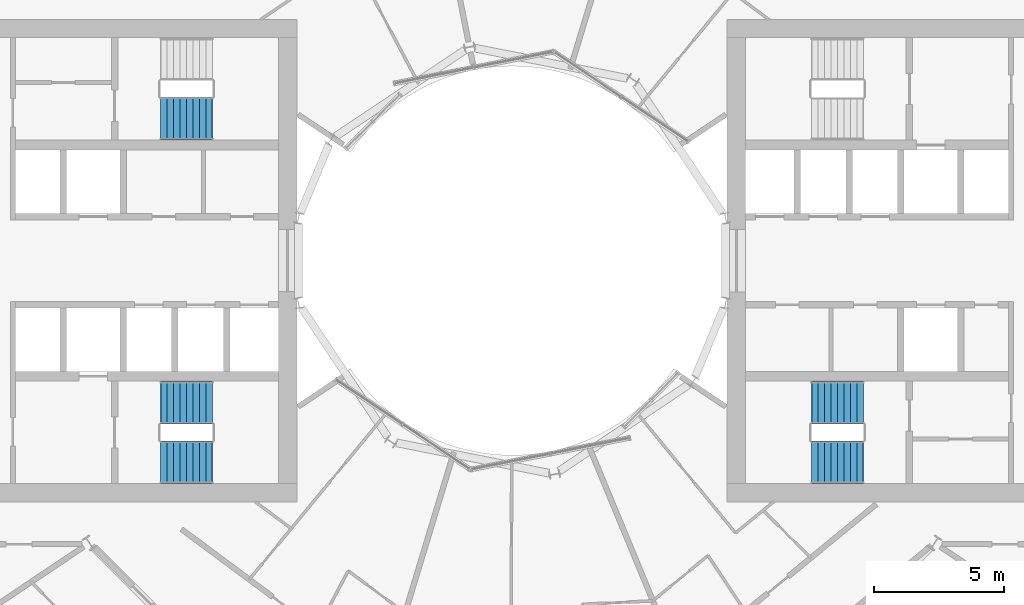
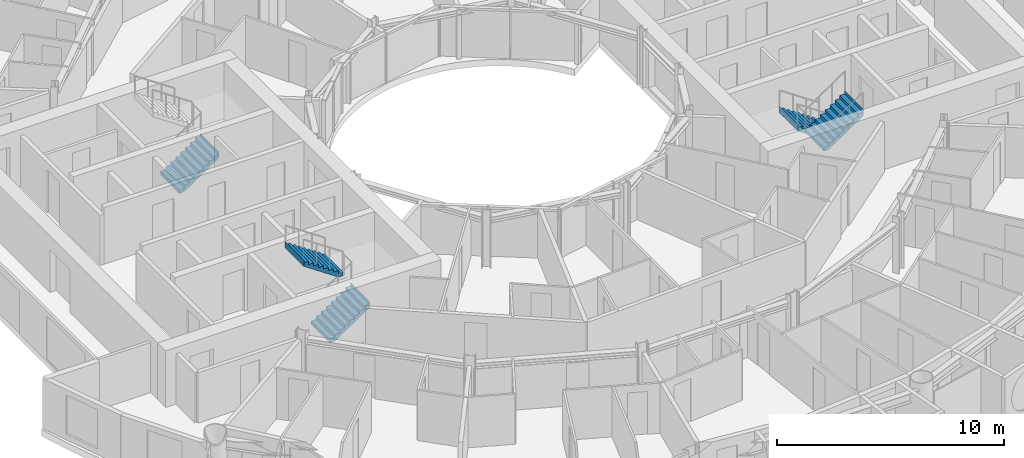
# One storey, part 24 of 26: 5 stair flights, 3 elements without a shape of their own.
"""IFC4 building model written with IfcOpenShell, lengths in metres."""

import ifcopenshell
import ifcopenshell.guid

model = None  # the IFC model being written
_history = None  # IfcOwnerHistory: only IFC2X3 demands one
_inside = {}  # id of a spatial element -> (the spatial element, [elements in it])
_under = {}  # id of a project, library or spatial element -> (it, [spatial elements below it])
_declared = {}  # id of a project -> (the project, [libraries it declares])
_typed = {}  # id of a type object -> (the type object, [elements of that type])
_made_of = {}  # id of a material, layer set ... -> (it, [elements and type objects made of it])


def new_model(schema):
    """Start an empty IFC model of exactly this schema.

    Asked for "IFC4X3", IfcOpenShell would pick the latest addendum, in which some entities
    have other attributes; the version numbers below select the first issue.
    IFC2X3 requires an IfcOwnerHistory on every rooted entity: one is made here for all.
    """
    global model, _history
    if schema == "IFC4X3":
        model = ifcopenshell.file(schema_version=(4, 3, 0, 0))
    else:
        model = ifcopenshell.file(schema=schema)
    _inside.clear()
    _under.clear()
    _declared.clear()
    _typed.clear()
    _made_of.clear()
    _history = None
    if model.schema == "IFC2X3":
        org = make("IfcOrganization", Name="unknown")
        user = make(
            "IfcPersonAndOrganization",
            ThePerson=make("IfcPerson", FamilyName="unknown"),
            TheOrganization=org,
        )
        app = make(
            "IfcApplication",
            ApplicationDeveloper=org,
            Version="unknown",
            ApplicationFullName="unknown",
            ApplicationIdentifier="unknown",
        )
        _history = make(
            "IfcOwnerHistory",
            OwningUser=user,
            OwningApplication=app,
            ChangeAction="ADDED",
            CreationDate=0,
        )
    return model


def make(cls, **values):
    """One entity of the class cls with the attributes given. An attribute that is None is left unset."""
    return model.create_entity(
        cls, **{name: value for name, value in values.items() if value is not None}
    )


def rooted(cls, **values):
    """An entity with a GlobalId (a new one), such as an element, a storey or a relation."""
    return make(cls, GlobalId=ifcopenshell.guid.new(), OwnerHistory=_history, **values)


def si_unit(unit_type, name, prefix=None):
    """IfcSIUnit, for example si_unit("LENGTHUNIT", "METRE", prefix="MILLI")."""
    return make("IfcSIUnit", UnitType=unit_type, Prefix=prefix, Name=name)


def assignment(units):
    """IfcUnitAssignment: the units of a project."""
    return None if units is None else make("IfcUnitAssignment", Units=units)


def point(xyz):
    """IfcCartesianPoint."""
    return None if xyz is None else make("IfcCartesianPoint", Coordinates=xyz)


def direction(xyz):
    """IfcDirection."""
    return None if xyz is None else make("IfcDirection", DirectionRatios=xyz)


def frame(location, z_axis=None, x_axis=None):
    """IfcAxis2Placement3D, a coordinate frame: its origin and axes. An axis left out is left unset."""
    return make(
        "IfcAxis2Placement3D",
        Location=point(location),
        Axis=direction(z_axis),
        RefDirection=direction(x_axis),
    )


def origin():
    """The frame at (0, 0, 0) with its axes left unset."""
    return frame((0.0, 0.0, 0.0))


def place(relative_to, where):
    """IfcLocalPlacement: puts the frame where relative to a parent placement (None: the world)."""
    return make(
        "IfcLocalPlacement", PlacementRelTo=relative_to, RelativePlacement=where
    )


def context(
    kind, dimensions, precision=None, world=None, true_north=None, identifier=None
):
    """IfcGeometricRepresentationContext, for example the 3D "Model" context."""
    return make(
        "IfcGeometricRepresentationContext",
        ContextIdentifier=identifier,
        ContextType=kind,
        CoordinateSpaceDimension=dimensions,
        Precision=precision,
        WorldCoordinateSystem=world,
        TrueNorth=true_north,
    )


def subcontext(parent, identifier, kind, view, scale=None):
    """IfcGeometricRepresentationSubContext, for example "Body" below "Model"."""
    return make(
        "IfcGeometricRepresentationSubContext",
        ContextIdentifier=identifier,
        ContextType=kind,
        ParentContext=parent,
        TargetScale=scale,
        TargetView=view,
    )


def project(units=None, contexts=None):
    """IfcProject with its units and contexts."""
    return rooted(
        "IfcProject",
        Name="project",
        RepresentationContexts=contexts,
        UnitsInContext=assignment(units),
    )


def spatial(cls, under=None, at=None, **own):
    """A site, building, storey or space (cls), placed at a placement, below another one or the project."""
    s = rooted(cls, ObjectPlacement=at, **own)
    if under is not None:
        _under.setdefault(under.id(), (under, []))[1].append(s)
    return s


def point_list(points):
    """IfcCartesianPointList2D or 3D."""
    cls = (
        "IfcCartesianPointList2D" if len(points[0]) == 2 else "IfcCartesianPointList3D"
    )
    return make(cls, CoordList=points)


def triangles(points, corners, closed=None, point_numbers=None):
    """IfcTriangulatedFaceSet: each triangle names its three corners, points numbered from 1."""
    return make(
        "IfcTriangulatedFaceSet",
        Coordinates=point_list(points),
        Closed=closed,
        CoordIndex=corners,
        PnIndex=point_numbers,
    )


def shape(context_of_items, identifier, shape_type, items):
    """IfcShapeRepresentation: the items that make up one representation, for example the "Body"."""
    return make(
        "IfcShapeRepresentation",
        ContextOfItems=context_of_items,
        RepresentationIdentifier=identifier,
        RepresentationType=shape_type,
        Items=items,
    )


def material(Name=None, Category=None):
    """IfcMaterial."""
    return make("IfcMaterial", Name=Name, Category=Category)


def made_of(thing, what):
    """Note that an element or type object is made of a material, layer set ...; save() writes the relation."""
    if what is not None:
        _made_of.setdefault(what.id(), (what, []))[1].append(thing)
    return thing


def type_object(cls, material=None, **own):
    """A type object (cls), such as IfcWallType, which elements share."""
    return made_of(rooted(cls, **own), material)


def element(
    cls,
    number,
    at=None,
    inside=None,
    cuts=None,
    type_object=None,
    material=None,
    context=None,
    identifier="Body",
    shape_type=None,
    held_by="IfcProductDefinitionShape",
    body=None,
    shapes=None,
    **own,
):
    """One element of the class cls, such as IfcWall. Its Tag is "e" and its number.

    at: its placement. inside: the storey or other place that contains it. cuts: it is an
    opening in that element (IfcRelVoidsElement). A single representation is given by context,
    identifier, shape_type and body (its items); several are given by shapes. held_by: the class
    of the entity that holds the representations. save() writes the other relations.
    """
    e = rooted(cls, Tag="e%d" % number, ObjectPlacement=at, **own)
    if body is not None:
        shapes = [shape(context, identifier, shape_type, body)]
    if shapes is not None:
        e.Representation = make(held_by, Representations=shapes)
    if inside is not None:
        _inside.setdefault(inside.id(), (inside, []))[1].append(e)
    if cuts is not None:
        rooted(
            "IfcRelVoidsElement", RelatingBuildingElement=cuts, RelatedOpeningElement=e
        )
    if type_object is not None:
        _typed.setdefault(type_object.id(), (type_object, []))[1].append(e)
    return made_of(e, material)


def aggregate(whole, parts):
    """IfcRelAggregates: a whole, such as a stair, and the parts it consists of."""
    return rooted("IfcRelAggregates", RelatingObject=whole, RelatedObjects=parts)


def save(model, path):
    """Write the relations noted so far, then the file.

    IfcRelAggregates (storeys below a building ...), IfcRelContainedInSpatialStructure (elements
    in a storey), IfcRelDefinesByType, IfcRelAssociatesMaterial and IfcRelDeclares: one each for
    every whole, place, type object, material and project.
    """
    for whole, parts in _under.values():
        aggregate(whole, parts)
    for where, things in _inside.values():
        rooted(
            "IfcRelContainedInSpatialStructure",
            RelatedElements=things,
            RelatingStructure=where,
        )
    for kind, things in _typed.values():
        rooted("IfcRelDefinesByType", RelatedObjects=things, RelatingType=kind)
    for what, things in _made_of.values():
        rooted("IfcRelAssociatesMaterial", RelatedObjects=things, RelatingMaterial=what)
    for by, libraries in _declared.values():
        rooted("IfcRelDeclares", RelatingContext=by, RelatedDefinitions=libraries)
    model.write(path)


model = new_model("IFC4")

# Units and contexts
model_context = context("Model", 3, precision=1e-05, world=origin(), true_north=direction((0.0, 1.0)))
body_context = subcontext(model_context, "Body", "Model", "MODEL_VIEW")
ifc_project = project(units=[si_unit("LENGTHUNIT", "METRE"), si_unit("AREAUNIT", "SQUARE_METRE"), si_unit("VOLUMEUNIT", "CUBIC_METRE"), si_unit("PLANEANGLEUNIT", "RADIAN"), si_unit("MASSUNIT", "GRAM", prefix="KILO")], contexts=[model_context])

# Site, building, storey
site_placement = place(None, origin())
site = spatial("IfcSite", under=ifc_project, at=site_placement, CompositionType="ELEMENT")
building_placement = place(site_placement, origin())
building = spatial("IfcBuilding", under=site, at=building_placement, Name="Maasbend Ring Residences", CompositionType="ELEMENT")
storey_placement = place(building_placement, frame((0.0, 0.0, 63.60009765625)))
storey = spatial("IfcBuildingStorey", under=building, at=storey_placement, Name="L17", CompositionType="ELEMENT", Elevation=63.60009765625)

# Stair, stair flights
ifc_material_1 = material(Name="Concrete C40/50", Category="concrete")
stair_type = type_object("IfcStairType", Name="CORE STAIR 18 RISERS", PredefinedType="HALF_TURN_STAIR", material=ifc_material_1)
stair_1_placement = place(storey_placement, origin())
stair_1 = element("IfcStair", 1, at=stair_1_placement, inside=storey, type_object=stair_type, Name="L17 Exit stair ST-E2", PredefinedType="HALF_TURN_STAIR")
ifc_material_2 = material(Name="Concrete C40/50", Category="concrete")
stair_flight_type = type_object("IfcStairFlightType", Name="CORE STAIR FLIGHT 1650", PredefinedType="STRAIGHT", material=ifc_material_2)
stair_flight_1_placement = place(storey_placement, frame((13.550048828125, -5.47509765625, 0.0), z_axis=(0.0, 0.0, 1.0), x_axis=(-1.0, 0.0, 0.0)))
stair_flight_1 = element("IfcStairFlight", 2, at=stair_flight_1_placement, type_object=stair_flight_type, Name="ST-E2 flight 1", NumberOfRisers=9, NumberOfTreads=8, PredefinedType="STRAIGHT", RiserHeight=0.169444444, TreadLength=0.25, context=body_context, shape_type="Tessellation", body=[
    triangles([(0.24072265625, 0.824951171875, -0.02001953125), (2.0029296875, 0.824951171875, 1.174560546875), (2.0029296875, 0.824951171875, 1.52490234375), (1.989990234375, 0.824951171875, 1.35546875), (1.75, 0.824951171875, 1.35546875), (1.75, 0.824951171875, 1.18603515625), (1.5, 0.824951171875, 1.18603515625), (1.5, 0.824951171875, 1.0166015625), (1.25, 0.824951171875, 1.0166015625), (1.25, 0.824951171875, 0.84716796875), (1.0, 0.824951171875, 0.84716796875), (1.0, 0.824951171875, 0.677734375), (0.75, 0.824951171875, 0.677734375), (0.75, 0.824951171875, 0.50830078125), (0.5, 0.824951171875, 0.50830078125), (0.5, 0.824951171875, 0.3388671875), (0.25, 0.824951171875, 0.3388671875), (0.25, 0.824951171875, 0.16943359375), (0.0, 0.824951171875, 0.16943359375), (0.0, 0.824951171875, 0.0), (-0.0029296875, 0.824951171875, 0.0), (-0.0029296875, 0.824951171875, -0.02001953125), (0.24072265625, 0.27490234375, -0.02001953125), (2.0029296875, 0.27490234375, 1.174560546875), (2.0029296875, 0.27490234375, 1.52490234375), (1.989990234375, 0.27490234375, 1.35546875), (1.75, 0.27490234375, 1.35546875), (1.75, 0.27490234375, 1.18603515625), (1.5, 0.27490234375, 1.18603515625), (1.5, 0.27490234375, 1.0166015625), (1.25, 0.27490234375, 1.0166015625), (1.25, 0.27490234375, 0.84716796875), (1.0, 0.27490234375, 0.84716796875), (1.0, 0.27490234375, 0.677734375), (0.75, 0.27490234375, 0.677734375), (0.75, 0.27490234375, 0.50830078125), (0.5, 0.27490234375, 0.50830078125), (0.5, 0.27490234375, 0.3388671875), (0.25, 0.27490234375, 0.3388671875), (0.25, 0.27490234375, 0.16943359375), (0.0, 0.27490234375, 0.16943359375), (0.0, 0.27490234375, 0.0), (-0.0029296875, 0.27490234375, 0.0), (-0.0029296875, 0.27490234375, -0.02001953125), (0.24072265625, -0.27490234375, -0.02001953125), (2.0029296875, -0.27490234375, 1.174560546875), (2.0029296875, -0.27490234375, 1.52490234375), (1.989990234375, -0.27490234375, 1.35546875), (1.75, -0.27490234375, 1.35546875), (1.75, -0.27490234375, 1.18603515625), (1.5, -0.27490234375, 1.18603515625), (1.5, -0.27490234375, 1.0166015625), (1.25, -0.27490234375, 1.0166015625), (1.25, -0.27490234375, 0.84716796875), (1.0, -0.27490234375, 0.84716796875), (1.0, -0.27490234375, 0.677734375), (0.75, -0.27490234375, 0.677734375), (0.75, -0.27490234375, 0.50830078125), (0.5, -0.27490234375, 0.50830078125), (0.5, -0.27490234375, 0.3388671875), (0.25, -0.27490234375, 0.3388671875), (0.25, -0.27490234375, 0.16943359375), (0.0, -0.27490234375, 0.16943359375), (0.0, -0.27490234375, 0.0), (-0.0029296875, -0.27490234375, 0.0), (-0.0029296875, -0.27490234375, -0.02001953125), (0.24072265625, -0.824951171875, -0.02001953125), (2.0029296875, -0.824951171875, 1.174560546875), (2.0029296875, -0.824951171875, 1.52490234375), (1.989990234375, -0.824951171875, 1.35546875), (1.75, -0.824951171875, 1.35546875), (1.75, -0.824951171875, 1.18603515625), (1.5, -0.824951171875, 1.18603515625), (1.5, -0.824951171875, 1.0166015625), (1.25, -0.824951171875, 1.0166015625), (1.25, -0.824951171875, 0.84716796875), (1.0, -0.824951171875, 0.84716796875), (1.0, -0.824951171875, 0.677734375), (0.75, -0.824951171875, 0.677734375), (0.75, -0.824951171875, 0.50830078125), (0.5, -0.824951171875, 0.50830078125), (0.5, -0.824951171875, 0.3388671875), (0.25, -0.824951171875, 0.3388671875), (0.25, -0.824951171875, 0.16943359375), (0.0, -0.824951171875, 0.16943359375), (0.0, -0.824951171875, 0.0), (-0.0029296875, -0.824951171875, 0.0), (-0.0029296875, -0.824951171875, -0.02001953125)], [[1, 2, 24], [1, 24, 23], [23, 24, 46], [23, 46, 45], [45, 46, 68], [45, 68, 67], [2, 3, 25], [2, 25, 24], [24, 25, 47], [24, 47, 46], [46, 47, 69], [46, 69, 68], [3, 4, 26], [3, 26, 25], [25, 26, 48], [25, 48, 47], [47, 48, 70], [47, 70, 69], [4, 5, 27], [4, 27, 26], [26, 27, 49], [26, 49, 48], [48, 49, 71], [48, 71, 70], [5, 6, 28], [5, 28, 27], [27, 28, 50], [27, 50, 49], [49, 50, 72], [49, 72, 71], [6, 7, 29], [6, 29, 28], [28, 29, 51], [28, 51, 50], [50, 51, 73], [50, 73, 72], [7, 8, 30], [7, 30, 29], [29, 30, 52], [29, 52, 51], [51, 52, 74], [51, 74, 73], [8, 9, 31], [8, 31, 30], [30, 31, 53], [30, 53, 52], [52, 53, 75], [52, 75, 74], [9, 10, 32], [9, 32, 31], [31, 32, 54], [31, 54, 53], [53, 54, 76], [53, 76, 75], [10, 11, 33], [10, 33, 32], [32, 33, 55], [32, 55, 54], [54, 55, 77], [54, 77, 76], [11, 12, 34], [11, 34, 33], [33, 34, 56], [33, 56, 55], [55, 56, 78], [55, 78, 77], [12, 13, 35], [12, 35, 34], [34, 35, 57], [34, 57, 56], [56, 57, 79], [56, 79, 78], [13, 14, 36], [13, 36, 35], [35, 36, 58], [35, 58, 57], [57, 58, 80], [57, 80, 79], [14, 15, 37], [14, 37, 36], [36, 37, 59], [36, 59, 58], [58, 59, 81], [58, 81, 80], [15, 16, 38], [15, 38, 37], [37, 38, 60], [37, 60, 59], [59, 60, 82], [59, 82, 81], [16, 17, 39], [16, 39, 38], [38, 39, 61], [38, 61, 60], [60, 61, 83], [60, 83, 82], [17, 18, 40], [17, 40, 39], [39, 40, 62], [39, 62, 61], [61, 62, 84], [61, 84, 83], [18, 19, 41], [18, 41, 40], [40, 41, 63], [40, 63, 62], [62, 63, 85], [62, 85, 84], [19, 20, 42], [19, 42, 41], [41, 42, 64], [41, 64, 63], [63, 64, 86], [63, 86, 85], [20, 21, 43], [20, 43, 42], [42, 43, 65], [42, 65, 64], [64, 65, 87], [64, 87, 86], [21, 22, 44], [21, 44, 43], [43, 44, 66], [43, 66, 65], [65, 66, 88], [65, 88, 87], [22, 1, 23], [22, 23, 44], [44, 23, 45], [44, 45, 66], [66, 45, 67], [66, 67, 88], [22, 2, 1], [2, 4, 3], [2, 5, 4], [2, 6, 5], [22, 6, 2], [6, 8, 7], [22, 8, 6], [8, 10, 9], [22, 10, 8], [10, 12, 11], [22, 12, 10], [12, 14, 13], [22, 14, 12], [14, 16, 15], [22, 16, 14], [16, 18, 17], [22, 18, 16], [18, 20, 19], [22, 20, 18], [20, 22, 21], [88, 67, 68], [68, 69, 70], [68, 70, 71], [68, 71, 72], [88, 68, 72], [72, 73, 74], [88, 72, 74], [74, 75, 76], [88, 74, 76], [76, 77, 78], [88, 76, 78], [78, 79, 80], [88, 78, 80], [80, 81, 82], [88, 80, 82], [82, 83, 84], [88, 82, 84], [84, 85, 86], [88, 84, 86], [86, 87, 88]], closed=True),
])
stair_flight_2_placement = place(storey_placement, frame((11.550048828125, -7.77490234375, 1.52490234375), z_axis=(0.0, 0.0, 1.0), x_axis=(1.0, 0.0, 0.0)))
stair_flight_2 = element("IfcStairFlight", 3, at=stair_flight_2_placement, type_object=stair_flight_type, Name="ST-E2 flight 2", NumberOfRisers=9, NumberOfTreads=8, PredefinedType="STRAIGHT", RiserHeight=0.169444444, TreadLength=0.25, context=body_context, shape_type="Tessellation", body=[
    triangles([(0.24072265625, 0.824951171875, -0.02001953125), (2.0029296875, 0.824951171875, 1.174560546875), (2.0029296875, 0.824951171875, 1.52490234375), (1.989990234375, 0.824951171875, 1.35546875), (1.75, 0.824951171875, 1.35546875), (1.75, 0.824951171875, 1.18603515625), (1.5, 0.824951171875, 1.18603515625), (1.5, 0.824951171875, 1.0166015625), (1.25, 0.824951171875, 1.0166015625), (1.25, 0.824951171875, 0.84716796875), (1.0, 0.824951171875, 0.84716796875), (1.0, 0.824951171875, 0.677734375), (0.75, 0.824951171875, 0.677734375), (0.75, 0.824951171875, 0.50830078125), (0.5, 0.824951171875, 0.50830078125), (0.5, 0.824951171875, 0.3388671875), (0.25, 0.824951171875, 0.3388671875), (0.25, 0.824951171875, 0.16943359375), (0.0, 0.824951171875, 0.16943359375), (0.0, 0.824951171875, 0.0), (-0.0029296875, 0.824951171875, 0.0), (-0.0029296875, 0.824951171875, -0.02001953125), (0.24072265625, 0.27490234375, -0.02001953125), (2.0029296875, 0.27490234375, 1.174560546875), (2.0029296875, 0.27490234375, 1.52490234375), (1.989990234375, 0.27490234375, 1.35546875), (1.75, 0.27490234375, 1.35546875), (1.75, 0.27490234375, 1.18603515625), (1.5, 0.27490234375, 1.18603515625), (1.5, 0.27490234375, 1.0166015625), (1.25, 0.27490234375, 1.0166015625), (1.25, 0.27490234375, 0.84716796875), (1.0, 0.27490234375, 0.84716796875), (1.0, 0.27490234375, 0.677734375), (0.75, 0.27490234375, 0.677734375), (0.75, 0.27490234375, 0.50830078125), (0.5, 0.27490234375, 0.50830078125), (0.5, 0.27490234375, 0.3388671875), (0.25, 0.27490234375, 0.3388671875), (0.25, 0.27490234375, 0.16943359375), (0.0, 0.27490234375, 0.16943359375), (0.0, 0.27490234375, 0.0), (-0.0029296875, 0.27490234375, 0.0), (-0.0029296875, 0.27490234375, -0.02001953125), (0.24072265625, -0.27490234375, -0.02001953125), (2.0029296875, -0.27490234375, 1.174560546875), (2.0029296875, -0.27490234375, 1.52490234375), (1.989990234375, -0.27490234375, 1.35546875), (1.75, -0.27490234375, 1.35546875), (1.75, -0.27490234375, 1.18603515625), (1.5, -0.27490234375, 1.18603515625), (1.5, -0.27490234375, 1.0166015625), (1.25, -0.27490234375, 1.0166015625), (1.25, -0.27490234375, 0.84716796875), (1.0, -0.27490234375, 0.84716796875), (1.0, -0.27490234375, 0.677734375), (0.75, -0.27490234375, 0.677734375), (0.75, -0.27490234375, 0.50830078125), (0.5, -0.27490234375, 0.50830078125), (0.5, -0.27490234375, 0.3388671875), (0.25, -0.27490234375, 0.3388671875), (0.25, -0.27490234375, 0.16943359375), (0.0, -0.27490234375, 0.16943359375), (0.0, -0.27490234375, 0.0), (-0.0029296875, -0.27490234375, 0.0), (-0.0029296875, -0.27490234375, -0.02001953125), (0.24072265625, -0.824951171875, -0.02001953125), (2.0029296875, -0.824951171875, 1.174560546875), (2.0029296875, -0.824951171875, 1.52490234375), (1.989990234375, -0.824951171875, 1.35546875), (1.75, -0.824951171875, 1.35546875), (1.75, -0.824951171875, 1.18603515625), (1.5, -0.824951171875, 1.18603515625), (1.5, -0.824951171875, 1.0166015625), (1.25, -0.824951171875, 1.0166015625), (1.25, -0.824951171875, 0.84716796875), (1.0, -0.824951171875, 0.84716796875), (1.0, -0.824951171875, 0.677734375), (0.75, -0.824951171875, 0.677734375), (0.75, -0.824951171875, 0.50830078125), (0.5, -0.824951171875, 0.50830078125), (0.5, -0.824951171875, 0.3388671875), (0.25, -0.824951171875, 0.3388671875), (0.25, -0.824951171875, 0.16943359375), (0.0, -0.824951171875, 0.16943359375), (0.0, -0.824951171875, 0.0), (-0.0029296875, -0.824951171875, 0.0), (-0.0029296875, -0.824951171875, -0.02001953125)], [[1, 2, 24], [1, 24, 23], [23, 24, 46], [23, 46, 45], [45, 46, 68], [45, 68, 67], [2, 3, 25], [2, 25, 24], [24, 25, 47], [24, 47, 46], [46, 47, 69], [46, 69, 68], [3, 4, 26], [3, 26, 25], [25, 26, 48], [25, 48, 47], [47, 48, 70], [47, 70, 69], [4, 5, 27], [4, 27, 26], [26, 27, 49], [26, 49, 48], [48, 49, 71], [48, 71, 70], [5, 6, 28], [5, 28, 27], [27, 28, 50], [27, 50, 49], [49, 50, 72], [49, 72, 71], [6, 7, 29], [6, 29, 28], [28, 29, 51], [28, 51, 50], [50, 51, 73], [50, 73, 72], [7, 8, 30], [7, 30, 29], [29, 30, 52], [29, 52, 51], [51, 52, 74], [51, 74, 73], [8, 9, 31], [8, 31, 30], [30, 31, 53], [30, 53, 52], [52, 53, 75], [52, 75, 74], [9, 10, 32], [9, 32, 31], [31, 32, 54], [31, 54, 53], [53, 54, 76], [53, 76, 75], [10, 11, 33], [10, 33, 32], [32, 33, 55], [32, 55, 54], [54, 55, 77], [54, 77, 76], [11, 12, 34], [11, 34, 33], [33, 34, 56], [33, 56, 55], [55, 56, 78], [55, 78, 77], [12, 13, 35], [12, 35, 34], [34, 35, 57], [34, 57, 56], [56, 57, 79], [56, 79, 78], [13, 14, 36], [13, 36, 35], [35, 36, 58], [35, 58, 57], [57, 58, 80], [57, 80, 79], [14, 15, 37], [14, 37, 36], [36, 37, 59], [36, 59, 58], [58, 59, 81], [58, 81, 80], [15, 16, 38], [15, 38, 37], [37, 38, 60], [37, 60, 59], [59, 60, 82], [59, 82, 81], [16, 17, 39], [16, 39, 38], [38, 39, 61], [38, 61, 60], [60, 61, 83], [60, 83, 82], [17, 18, 40], [17, 40, 39], [39, 40, 62], [39, 62, 61], [61, 62, 84], [61, 84, 83], [18, 19, 41], [18, 41, 40], [40, 41, 63], [40, 63, 62], [62, 63, 85], [62, 85, 84], [19, 20, 42], [19, 42, 41], [41, 42, 64], [41, 64, 63], [63, 64, 86], [63, 86, 85], [20, 21, 43], [20, 43, 42], [42, 43, 65], [42, 65, 64], [64, 65, 87], [64, 87, 86], [21, 22, 44], [21, 44, 43], [43, 44, 66], [43, 66, 65], [65, 66, 88], [65, 88, 87], [22, 1, 23], [22, 23, 44], [44, 23, 45], [44, 45, 66], [66, 45, 67], [66, 67, 88], [22, 2, 1], [2, 4, 3], [2, 5, 4], [2, 6, 5], [22, 6, 2], [6, 8, 7], [22, 8, 6], [8, 10, 9], [22, 10, 8], [10, 12, 11], [22, 12, 10], [12, 14, 13], [22, 14, 12], [14, 16, 15], [22, 16, 14], [16, 18, 17], [22, 18, 16], [18, 20, 19], [22, 20, 18], [20, 22, 21], [88, 67, 68], [68, 69, 70], [68, 70, 71], [68, 71, 72], [88, 68, 72], [72, 73, 74], [88, 72, 74], [74, 75, 76], [88, 74, 76], [76, 77, 78], [88, 76, 78], [78, 79, 80], [88, 78, 80], [80, 81, 82], [88, 80, 82], [82, 83, 84], [88, 82, 84], [84, 85, 86], [88, 84, 86], [86, 87, 88]], closed=True),
])
aggregate(stair_1, [stair_flight_1, stair_flight_2])

stair_2_placement = place(storey_placement, origin())
stair_2 = element("IfcStair", 4, at=stair_2_placement, inside=storey, type_object=stair_type, Name="L17 Exit stair ST-W1", PredefinedType="HALF_TURN_STAIR")
stair_flight_3_placement = place(storey_placement, frame((-13.550048828125, -7.77490234375, 0.0), z_axis=(0.0, 0.0, 1.0), x_axis=(1.0, 0.0, 0.0)))
stair_flight_3 = element("IfcStairFlight", 5, at=stair_flight_3_placement, type_object=stair_flight_type, Name="ST-W1 flight 1", NumberOfRisers=9, NumberOfTreads=8, PredefinedType="STRAIGHT", RiserHeight=0.169444444, TreadLength=0.25, context=body_context, shape_type="Tessellation", body=[
    triangles([(0.24072265625, 0.824951171875, -0.02001953125), (2.0029296875, 0.824951171875, 1.174560546875), (2.0029296875, 0.824951171875, 1.52490234375), (1.989990234375, 0.824951171875, 1.35546875), (1.75, 0.824951171875, 1.35546875), (1.75, 0.824951171875, 1.18603515625), (1.5, 0.824951171875, 1.18603515625), (1.5, 0.824951171875, 1.0166015625), (1.25, 0.824951171875, 1.0166015625), (1.25, 0.824951171875, 0.84716796875), (1.0, 0.824951171875, 0.84716796875), (1.0, 0.824951171875, 0.677734375), (0.75, 0.824951171875, 0.677734375), (0.75, 0.824951171875, 0.50830078125), (0.5, 0.824951171875, 0.50830078125), (0.5, 0.824951171875, 0.3388671875), (0.25, 0.824951171875, 0.3388671875), (0.25, 0.824951171875, 0.16943359375), (0.0, 0.824951171875, 0.16943359375), (0.0, 0.824951171875, 0.0), (-0.0029296875, 0.824951171875, 0.0), (-0.0029296875, 0.824951171875, -0.02001953125), (0.24072265625, 0.27490234375, -0.02001953125), (2.0029296875, 0.27490234375, 1.174560546875), (2.0029296875, 0.27490234375, 1.52490234375), (1.989990234375, 0.27490234375, 1.35546875), (1.75, 0.27490234375, 1.35546875), (1.75, 0.27490234375, 1.18603515625), (1.5, 0.27490234375, 1.18603515625), (1.5, 0.27490234375, 1.0166015625), (1.25, 0.27490234375, 1.0166015625), (1.25, 0.27490234375, 0.84716796875), (1.0, 0.27490234375, 0.84716796875), (1.0, 0.27490234375, 0.677734375), (0.75, 0.27490234375, 0.677734375), (0.75, 0.27490234375, 0.50830078125), (0.5, 0.27490234375, 0.50830078125), (0.5, 0.27490234375, 0.3388671875), (0.25, 0.27490234375, 0.3388671875), (0.25, 0.27490234375, 0.16943359375), (0.0, 0.27490234375, 0.16943359375), (0.0, 0.27490234375, 0.0), (-0.0029296875, 0.27490234375, 0.0), (-0.0029296875, 0.27490234375, -0.02001953125), (0.24072265625, -0.27490234375, -0.02001953125), (2.0029296875, -0.27490234375, 1.174560546875), (2.0029296875, -0.27490234375, 1.52490234375), (1.989990234375, -0.27490234375, 1.35546875), (1.75, -0.27490234375, 1.35546875), (1.75, -0.27490234375, 1.18603515625), (1.5, -0.27490234375, 1.18603515625), (1.5, -0.27490234375, 1.0166015625), (1.25, -0.27490234375, 1.0166015625), (1.25, -0.27490234375, 0.84716796875), (1.0, -0.27490234375, 0.84716796875), (1.0, -0.27490234375, 0.677734375), (0.75, -0.27490234375, 0.677734375), (0.75, -0.27490234375, 0.50830078125), (0.5, -0.27490234375, 0.50830078125), (0.5, -0.27490234375, 0.3388671875), (0.25, -0.27490234375, 0.3388671875), (0.25, -0.27490234375, 0.16943359375), (0.0, -0.27490234375, 0.16943359375), (0.0, -0.27490234375, 0.0), (-0.0029296875, -0.27490234375, 0.0), (-0.0029296875, -0.27490234375, -0.02001953125), (0.24072265625, -0.824951171875, -0.02001953125), (2.0029296875, -0.824951171875, 1.174560546875), (2.0029296875, -0.824951171875, 1.52490234375), (1.989990234375, -0.824951171875, 1.35546875), (1.75, -0.824951171875, 1.35546875), (1.75, -0.824951171875, 1.18603515625), (1.5, -0.824951171875, 1.18603515625), (1.5, -0.824951171875, 1.0166015625), (1.25, -0.824951171875, 1.0166015625), (1.25, -0.824951171875, 0.84716796875), (1.0, -0.824951171875, 0.84716796875), (1.0, -0.824951171875, 0.677734375), (0.75, -0.824951171875, 0.677734375), (0.75, -0.824951171875, 0.50830078125), (0.5, -0.824951171875, 0.50830078125), (0.5, -0.824951171875, 0.3388671875), (0.25, -0.824951171875, 0.3388671875), (0.25, -0.824951171875, 0.16943359375), (0.0, -0.824951171875, 0.16943359375), (0.0, -0.824951171875, 0.0), (-0.0029296875, -0.824951171875, 0.0), (-0.0029296875, -0.824951171875, -0.02001953125)], [[1, 2, 24], [1, 24, 23], [23, 24, 46], [23, 46, 45], [45, 46, 68], [45, 68, 67], [2, 3, 25], [2, 25, 24], [24, 25, 47], [24, 47, 46], [46, 47, 69], [46, 69, 68], [3, 4, 26], [3, 26, 25], [25, 26, 48], [25, 48, 47], [47, 48, 70], [47, 70, 69], [4, 5, 27], [4, 27, 26], [26, 27, 49], [26, 49, 48], [48, 49, 71], [48, 71, 70], [5, 6, 28], [5, 28, 27], [27, 28, 50], [27, 50, 49], [49, 50, 72], [49, 72, 71], [6, 7, 29], [6, 29, 28], [28, 29, 51], [28, 51, 50], [50, 51, 73], [50, 73, 72], [7, 8, 30], [7, 30, 29], [29, 30, 52], [29, 52, 51], [51, 52, 74], [51, 74, 73], [8, 9, 31], [8, 31, 30], [30, 31, 53], [30, 53, 52], [52, 53, 75], [52, 75, 74], [9, 10, 32], [9, 32, 31], [31, 32, 54], [31, 54, 53], [53, 54, 76], [53, 76, 75], [10, 11, 33], [10, 33, 32], [32, 33, 55], [32, 55, 54], [54, 55, 77], [54, 77, 76], [11, 12, 34], [11, 34, 33], [33, 34, 56], [33, 56, 55], [55, 56, 78], [55, 78, 77], [12, 13, 35], [12, 35, 34], [34, 35, 57], [34, 57, 56], [56, 57, 79], [56, 79, 78], [13, 14, 36], [13, 36, 35], [35, 36, 58], [35, 58, 57], [57, 58, 80], [57, 80, 79], [14, 15, 37], [14, 37, 36], [36, 37, 59], [36, 59, 58], [58, 59, 81], [58, 81, 80], [15, 16, 38], [15, 38, 37], [37, 38, 60], [37, 60, 59], [59, 60, 82], [59, 82, 81], [16, 17, 39], [16, 39, 38], [38, 39, 61], [38, 61, 60], [60, 61, 83], [60, 83, 82], [17, 18, 40], [17, 40, 39], [39, 40, 62], [39, 62, 61], [61, 62, 84], [61, 84, 83], [18, 19, 41], [18, 41, 40], [40, 41, 63], [40, 63, 62], [62, 63, 85], [62, 85, 84], [19, 20, 42], [19, 42, 41], [41, 42, 64], [41, 64, 63], [63, 64, 86], [63, 86, 85], [20, 21, 43], [20, 43, 42], [42, 43, 65], [42, 65, 64], [64, 65, 87], [64, 87, 86], [21, 22, 44], [21, 44, 43], [43, 44, 66], [43, 66, 65], [65, 66, 88], [65, 88, 87], [22, 1, 23], [22, 23, 44], [44, 23, 45], [44, 45, 66], [66, 45, 67], [66, 67, 88], [22, 2, 1], [2, 4, 3], [2, 5, 4], [2, 6, 5], [22, 6, 2], [6, 8, 7], [22, 8, 6], [8, 10, 9], [22, 10, 8], [10, 12, 11], [22, 12, 10], [12, 14, 13], [22, 14, 12], [14, 16, 15], [22, 16, 14], [16, 18, 17], [22, 18, 16], [18, 20, 19], [22, 20, 18], [20, 22, 21], [88, 67, 68], [68, 69, 70], [68, 70, 71], [68, 71, 72], [88, 68, 72], [72, 73, 74], [88, 72, 74], [74, 75, 76], [88, 74, 76], [76, 77, 78], [88, 76, 78], [78, 79, 80], [88, 78, 80], [80, 81, 82], [88, 80, 82], [82, 83, 84], [88, 82, 84], [84, 85, 86], [88, 84, 86], [86, 87, 88]], closed=True),
])
stair_flight_4_placement = place(storey_placement, frame((-11.550048828125, -5.47509765625, 1.52490234375), z_axis=(0.0, 0.0, 1.0), x_axis=(-1.0, 0.0, 0.0)))
stair_flight_4 = element("IfcStairFlight", 6, at=stair_flight_4_placement, type_object=stair_flight_type, Name="ST-W1 flight 2", NumberOfRisers=9, NumberOfTreads=8, PredefinedType="STRAIGHT", RiserHeight=0.169444444, TreadLength=0.25, context=body_context, shape_type="Tessellation", body=[
    triangles([(0.24072265625, 0.824951171875, -0.02001953125), (2.0029296875, 0.824951171875, 1.174560546875), (2.0029296875, 0.824951171875, 1.52490234375), (1.989990234375, 0.824951171875, 1.35546875), (1.75, 0.824951171875, 1.35546875), (1.75, 0.824951171875, 1.18603515625), (1.5, 0.824951171875, 1.18603515625), (1.5, 0.824951171875, 1.0166015625), (1.25, 0.824951171875, 1.0166015625), (1.25, 0.824951171875, 0.84716796875), (1.0, 0.824951171875, 0.84716796875), (1.0, 0.824951171875, 0.677734375), (0.75, 0.824951171875, 0.677734375), (0.75, 0.824951171875, 0.50830078125), (0.5, 0.824951171875, 0.50830078125), (0.5, 0.824951171875, 0.3388671875), (0.25, 0.824951171875, 0.3388671875), (0.25, 0.824951171875, 0.16943359375), (0.0, 0.824951171875, 0.16943359375), (0.0, 0.824951171875, 0.0), (-0.0029296875, 0.824951171875, 0.0), (-0.0029296875, 0.824951171875, -0.02001953125), (0.24072265625, 0.27490234375, -0.02001953125), (2.0029296875, 0.27490234375, 1.174560546875), (2.0029296875, 0.27490234375, 1.52490234375), (1.989990234375, 0.27490234375, 1.35546875), (1.75, 0.27490234375, 1.35546875), (1.75, 0.27490234375, 1.18603515625), (1.5, 0.27490234375, 1.18603515625), (1.5, 0.27490234375, 1.0166015625), (1.25, 0.27490234375, 1.0166015625), (1.25, 0.27490234375, 0.84716796875), (1.0, 0.27490234375, 0.84716796875), (1.0, 0.27490234375, 0.677734375), (0.75, 0.27490234375, 0.677734375), (0.75, 0.27490234375, 0.50830078125), (0.5, 0.27490234375, 0.50830078125), (0.5, 0.27490234375, 0.3388671875), (0.25, 0.27490234375, 0.3388671875), (0.25, 0.27490234375, 0.16943359375), (0.0, 0.27490234375, 0.16943359375), (0.0, 0.27490234375, 0.0), (-0.0029296875, 0.27490234375, 0.0), (-0.0029296875, 0.27490234375, -0.02001953125), (0.24072265625, -0.27490234375, -0.02001953125), (2.0029296875, -0.27490234375, 1.174560546875), (2.0029296875, -0.27490234375, 1.52490234375), (1.989990234375, -0.27490234375, 1.35546875), (1.75, -0.27490234375, 1.35546875), (1.75, -0.27490234375, 1.18603515625), (1.5, -0.27490234375, 1.18603515625), (1.5, -0.27490234375, 1.0166015625), (1.25, -0.27490234375, 1.0166015625), (1.25, -0.27490234375, 0.84716796875), (1.0, -0.27490234375, 0.84716796875), (1.0, -0.27490234375, 0.677734375), (0.75, -0.27490234375, 0.677734375), (0.75, -0.27490234375, 0.50830078125), (0.5, -0.27490234375, 0.50830078125), (0.5, -0.27490234375, 0.3388671875), (0.25, -0.27490234375, 0.3388671875), (0.25, -0.27490234375, 0.16943359375), (0.0, -0.27490234375, 0.16943359375), (0.0, -0.27490234375, 0.0), (-0.0029296875, -0.27490234375, 0.0), (-0.0029296875, -0.27490234375, -0.02001953125), (0.24072265625, -0.824951171875, -0.02001953125), (2.0029296875, -0.824951171875, 1.174560546875), (2.0029296875, -0.824951171875, 1.52490234375), (1.989990234375, -0.824951171875, 1.35546875), (1.75, -0.824951171875, 1.35546875), (1.75, -0.824951171875, 1.18603515625), (1.5, -0.824951171875, 1.18603515625), (1.5, -0.824951171875, 1.0166015625), (1.25, -0.824951171875, 1.0166015625), (1.25, -0.824951171875, 0.84716796875), (1.0, -0.824951171875, 0.84716796875), (1.0, -0.824951171875, 0.677734375), (0.75, -0.824951171875, 0.677734375), (0.75, -0.824951171875, 0.50830078125), (0.5, -0.824951171875, 0.50830078125), (0.5, -0.824951171875, 0.3388671875), (0.25, -0.824951171875, 0.3388671875), (0.25, -0.824951171875, 0.16943359375), (0.0, -0.824951171875, 0.16943359375), (0.0, -0.824951171875, 0.0), (-0.0029296875, -0.824951171875, 0.0), (-0.0029296875, -0.824951171875, -0.02001953125)], [[1, 2, 24], [1, 24, 23], [23, 24, 46], [23, 46, 45], [45, 46, 68], [45, 68, 67], [2, 3, 25], [2, 25, 24], [24, 25, 47], [24, 47, 46], [46, 47, 69], [46, 69, 68], [3, 4, 26], [3, 26, 25], [25, 26, 48], [25, 48, 47], [47, 48, 70], [47, 70, 69], [4, 5, 27], [4, 27, 26], [26, 27, 49], [26, 49, 48], [48, 49, 71], [48, 71, 70], [5, 6, 28], [5, 28, 27], [27, 28, 50], [27, 50, 49], [49, 50, 72], [49, 72, 71], [6, 7, 29], [6, 29, 28], [28, 29, 51], [28, 51, 50], [50, 51, 73], [50, 73, 72], [7, 8, 30], [7, 30, 29], [29, 30, 52], [29, 52, 51], [51, 52, 74], [51, 74, 73], [8, 9, 31], [8, 31, 30], [30, 31, 53], [30, 53, 52], [52, 53, 75], [52, 75, 74], [9, 10, 32], [9, 32, 31], [31, 32, 54], [31, 54, 53], [53, 54, 76], [53, 76, 75], [10, 11, 33], [10, 33, 32], [32, 33, 55], [32, 55, 54], [54, 55, 77], [54, 77, 76], [11, 12, 34], [11, 34, 33], [33, 34, 56], [33, 56, 55], [55, 56, 78], [55, 78, 77], [12, 13, 35], [12, 35, 34], [34, 35, 57], [34, 57, 56], [56, 57, 79], [56, 79, 78], [13, 14, 36], [13, 36, 35], [35, 36, 58], [35, 58, 57], [57, 58, 80], [57, 80, 79], [14, 15, 37], [14, 37, 36], [36, 37, 59], [36, 59, 58], [58, 59, 81], [58, 81, 80], [15, 16, 38], [15, 38, 37], [37, 38, 60], [37, 60, 59], [59, 60, 82], [59, 82, 81], [16, 17, 39], [16, 39, 38], [38, 39, 61], [38, 61, 60], [60, 61, 83], [60, 83, 82], [17, 18, 40], [17, 40, 39], [39, 40, 62], [39, 62, 61], [61, 62, 84], [61, 84, 83], [18, 19, 41], [18, 41, 40], [40, 41, 63], [40, 63, 62], [62, 63, 85], [62, 85, 84], [19, 20, 42], [19, 42, 41], [41, 42, 64], [41, 64, 63], [63, 64, 86], [63, 86, 85], [20, 21, 43], [20, 43, 42], [42, 43, 65], [42, 65, 64], [64, 65, 87], [64, 87, 86], [21, 22, 44], [21, 44, 43], [43, 44, 66], [43, 66, 65], [65, 66, 88], [65, 88, 87], [22, 1, 23], [22, 23, 44], [44, 23, 45], [44, 45, 66], [66, 45, 67], [66, 67, 88], [22, 2, 1], [2, 4, 3], [2, 5, 4], [2, 6, 5], [22, 6, 2], [6, 8, 7], [22, 8, 6], [8, 10, 9], [22, 10, 8], [10, 12, 11], [22, 12, 10], [12, 14, 13], [22, 14, 12], [14, 16, 15], [22, 16, 14], [16, 18, 17], [22, 18, 16], [18, 20, 19], [22, 20, 18], [20, 22, 21], [88, 67, 68], [68, 69, 70], [68, 70, 71], [68, 71, 72], [88, 68, 72], [72, 73, 74], [88, 72, 74], [74, 75, 76], [88, 74, 76], [76, 77, 78], [88, 76, 78], [78, 79, 80], [88, 78, 80], [80, 81, 82], [88, 80, 82], [82, 83, 84], [88, 82, 84], [84, 85, 86], [88, 84, 86], [86, 87, 88]], closed=True),
])
aggregate(stair_2, [stair_flight_3, stair_flight_4])

# Stair, stair flight
stair_3_placement = place(storey_placement, origin())
stair_3 = element("IfcStair", 7, at=stair_3_placement, inside=storey, type_object=stair_type, Name="L17 Exit stair ST-W2", PredefinedType="HALF_TURN_STAIR")
stair_flight_5_placement = place(storey_placement, frame((-13.550048828125, 5.47509765625, 0.0), z_axis=(0.0, 0.0, 1.0), x_axis=(1.0, 0.0, 0.0)))
stair_flight_5 = element("IfcStairFlight", 8, at=stair_flight_5_placement, type_object=stair_flight_type, Name="ST-W2 flight 1", NumberOfRisers=9, NumberOfTreads=8, PredefinedType="STRAIGHT", RiserHeight=0.169444444, TreadLength=0.25, context=body_context, shape_type="Tessellation", body=[
    triangles([(0.24072265625, 0.824951171875, -0.02001953125), (2.0029296875, 0.824951171875, 1.174560546875), (2.0029296875, 0.824951171875, 1.52490234375), (1.989990234375, 0.824951171875, 1.35546875), (1.75, 0.824951171875, 1.35546875), (1.75, 0.824951171875, 1.18603515625), (1.5, 0.824951171875, 1.18603515625), (1.5, 0.824951171875, 1.0166015625), (1.25, 0.824951171875, 1.0166015625), (1.25, 0.824951171875, 0.84716796875), (1.0, 0.824951171875, 0.84716796875), (1.0, 0.824951171875, 0.677734375), (0.75, 0.824951171875, 0.677734375), (0.75, 0.824951171875, 0.50830078125), (0.5, 0.824951171875, 0.50830078125), (0.5, 0.824951171875, 0.3388671875), (0.25, 0.824951171875, 0.3388671875), (0.25, 0.824951171875, 0.16943359375), (0.0, 0.824951171875, 0.16943359375), (0.0, 0.824951171875, 0.0), (-0.0029296875, 0.824951171875, 0.0), (-0.0029296875, 0.824951171875, -0.02001953125), (0.24072265625, 0.27490234375, -0.02001953125), (2.0029296875, 0.27490234375, 1.174560546875), (2.0029296875, 0.27490234375, 1.52490234375), (1.989990234375, 0.27490234375, 1.35546875), (1.75, 0.27490234375, 1.35546875), (1.75, 0.27490234375, 1.18603515625), (1.5, 0.27490234375, 1.18603515625), (1.5, 0.27490234375, 1.0166015625), (1.25, 0.27490234375, 1.0166015625), (1.25, 0.27490234375, 0.84716796875), (1.0, 0.27490234375, 0.84716796875), (1.0, 0.27490234375, 0.677734375), (0.75, 0.27490234375, 0.677734375), (0.75, 0.27490234375, 0.50830078125), (0.5, 0.27490234375, 0.50830078125), (0.5, 0.27490234375, 0.3388671875), (0.25, 0.27490234375, 0.3388671875), (0.25, 0.27490234375, 0.16943359375), (0.0, 0.27490234375, 0.16943359375), (0.0, 0.27490234375, 0.0), (-0.0029296875, 0.27490234375, 0.0), (-0.0029296875, 0.27490234375, -0.02001953125), (0.24072265625, -0.27490234375, -0.02001953125), (2.0029296875, -0.27490234375, 1.174560546875), (2.0029296875, -0.27490234375, 1.52490234375), (1.989990234375, -0.27490234375, 1.35546875), (1.75, -0.27490234375, 1.35546875), (1.75, -0.27490234375, 1.18603515625), (1.5, -0.27490234375, 1.18603515625), (1.5, -0.27490234375, 1.0166015625), (1.25, -0.27490234375, 1.0166015625), (1.25, -0.27490234375, 0.84716796875), (1.0, -0.27490234375, 0.84716796875), (1.0, -0.27490234375, 0.677734375), (0.75, -0.27490234375, 0.677734375), (0.75, -0.27490234375, 0.50830078125), (0.5, -0.27490234375, 0.50830078125), (0.5, -0.27490234375, 0.3388671875), (0.25, -0.27490234375, 0.3388671875), (0.25, -0.27490234375, 0.16943359375), (0.0, -0.27490234375, 0.16943359375), (0.0, -0.27490234375, 0.0), (-0.0029296875, -0.27490234375, 0.0), (-0.0029296875, -0.27490234375, -0.02001953125), (0.24072265625, -0.824951171875, -0.02001953125), (2.0029296875, -0.824951171875, 1.174560546875), (2.0029296875, -0.824951171875, 1.52490234375), (1.989990234375, -0.824951171875, 1.35546875), (1.75, -0.824951171875, 1.35546875), (1.75, -0.824951171875, 1.18603515625), (1.5, -0.824951171875, 1.18603515625), (1.5, -0.824951171875, 1.0166015625), (1.25, -0.824951171875, 1.0166015625), (1.25, -0.824951171875, 0.84716796875), (1.0, -0.824951171875, 0.84716796875), (1.0, -0.824951171875, 0.677734375), (0.75, -0.824951171875, 0.677734375), (0.75, -0.824951171875, 0.50830078125), (0.5, -0.824951171875, 0.50830078125), (0.5, -0.824951171875, 0.3388671875), (0.25, -0.824951171875, 0.3388671875), (0.25, -0.824951171875, 0.16943359375), (0.0, -0.824951171875, 0.16943359375), (0.0, -0.824951171875, 0.0), (-0.0029296875, -0.824951171875, 0.0), (-0.0029296875, -0.824951171875, -0.02001953125)], [[1, 2, 24], [1, 24, 23], [23, 24, 46], [23, 46, 45], [45, 46, 68], [45, 68, 67], [2, 3, 25], [2, 25, 24], [24, 25, 47], [24, 47, 46], [46, 47, 69], [46, 69, 68], [3, 4, 26], [3, 26, 25], [25, 26, 48], [25, 48, 47], [47, 48, 70], [47, 70, 69], [4, 5, 27], [4, 27, 26], [26, 27, 49], [26, 49, 48], [48, 49, 71], [48, 71, 70], [5, 6, 28], [5, 28, 27], [27, 28, 50], [27, 50, 49], [49, 50, 72], [49, 72, 71], [6, 7, 29], [6, 29, 28], [28, 29, 51], [28, 51, 50], [50, 51, 73], [50, 73, 72], [7, 8, 30], [7, 30, 29], [29, 30, 52], [29, 52, 51], [51, 52, 74], [51, 74, 73], [8, 9, 31], [8, 31, 30], [30, 31, 53], [30, 53, 52], [52, 53, 75], [52, 75, 74], [9, 10, 32], [9, 32, 31], [31, 32, 54], [31, 54, 53], [53, 54, 76], [53, 76, 75], [10, 11, 33], [10, 33, 32], [32, 33, 55], [32, 55, 54], [54, 55, 77], [54, 77, 76], [11, 12, 34], [11, 34, 33], [33, 34, 56], [33, 56, 55], [55, 56, 78], [55, 78, 77], [12, 13, 35], [12, 35, 34], [34, 35, 57], [34, 57, 56], [56, 57, 79], [56, 79, 78], [13, 14, 36], [13, 36, 35], [35, 36, 58], [35, 58, 57], [57, 58, 80], [57, 80, 79], [14, 15, 37], [14, 37, 36], [36, 37, 59], [36, 59, 58], [58, 59, 81], [58, 81, 80], [15, 16, 38], [15, 38, 37], [37, 38, 60], [37, 60, 59], [59, 60, 82], [59, 82, 81], [16, 17, 39], [16, 39, 38], [38, 39, 61], [38, 61, 60], [60, 61, 83], [60, 83, 82], [17, 18, 40], [17, 40, 39], [39, 40, 62], [39, 62, 61], [61, 62, 84], [61, 84, 83], [18, 19, 41], [18, 41, 40], [40, 41, 63], [40, 63, 62], [62, 63, 85], [62, 85, 84], [19, 20, 42], [19, 42, 41], [41, 42, 64], [41, 64, 63], [63, 64, 86], [63, 86, 85], [20, 21, 43], [20, 43, 42], [42, 43, 65], [42, 65, 64], [64, 65, 87], [64, 87, 86], [21, 22, 44], [21, 44, 43], [43, 44, 66], [43, 66, 65], [65, 66, 88], [65, 88, 87], [22, 1, 23], [22, 23, 44], [44, 23, 45], [44, 45, 66], [66, 45, 67], [66, 67, 88], [22, 2, 1], [2, 4, 3], [2, 5, 4], [2, 6, 5], [22, 6, 2], [6, 8, 7], [22, 8, 6], [8, 10, 9], [22, 10, 8], [10, 12, 11], [22, 12, 10], [12, 14, 13], [22, 14, 12], [14, 16, 15], [22, 16, 14], [16, 18, 17], [22, 18, 16], [18, 20, 19], [22, 20, 18], [20, 22, 21], [88, 67, 68], [68, 69, 70], [68, 70, 71], [68, 71, 72], [88, 68, 72], [72, 73, 74], [88, 72, 74], [74, 75, 76], [88, 74, 76], [76, 77, 78], [88, 76, 78], [78, 79, 80], [88, 78, 80], [80, 81, 82], [88, 80, 82], [82, 83, 84], [88, 82, 84], [84, 85, 86], [88, 84, 86], [86, 87, 88]], closed=True),
])
aggregate(stair_3, [stair_flight_5])

save(model, "model.ifc")
